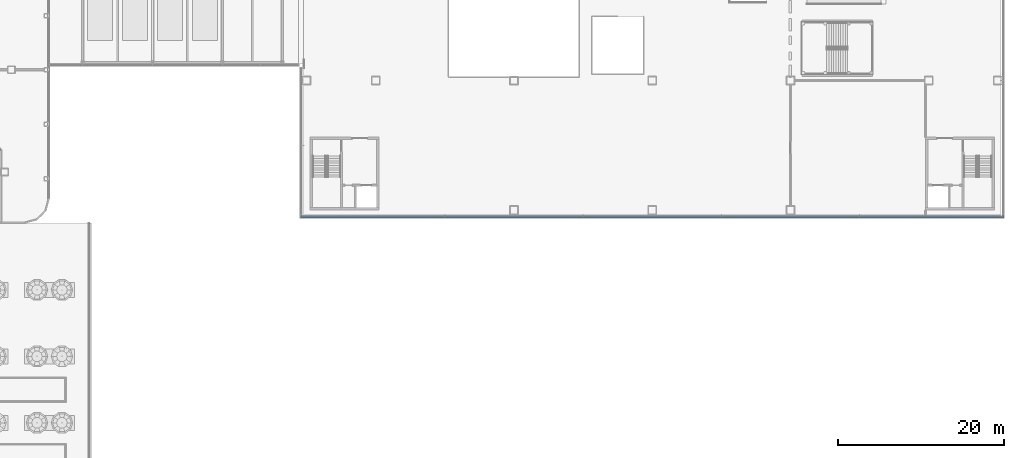
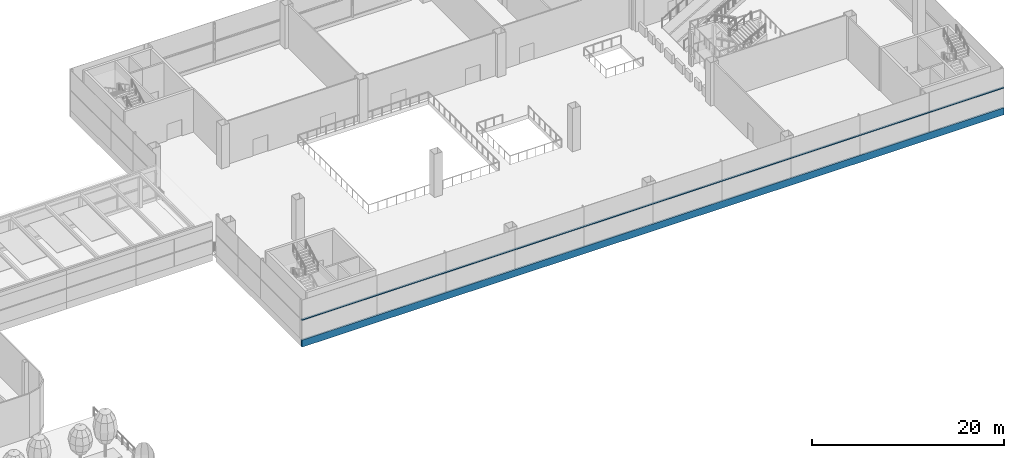
# One storey, part 20 of 100: 2 members, 1 element without a shape of its own.
"""IFC4 building model written with IfcOpenShell, lengths in metres."""

from ifc_helpers import new_model, si_unit, direction, frame, origin, origin_2d, place, context, subcontext, project, spatial, rectangle, extrude, material, layer, layer_set, material_profile, profile_set, type_object, element, aggregate, save


model = new_model("IFC4")

# Units and contexts
model_context = context("Model", 3, precision=1e-05, world=origin(), true_north=direction((0.0, 1.0)))
body_context = subcontext(model_context, "Body", "Model", "MODEL_VIEW")
ifc_project = project(units=[si_unit("LENGTHUNIT", "METRE"), si_unit("AREAUNIT", "SQUARE_METRE"), si_unit("VOLUMEUNIT", "CUBIC_METRE"), si_unit("PLANEANGLEUNIT", "RADIAN"), si_unit("MASSUNIT", "GRAM", prefix="KILO")], contexts=[model_context])

# Site, building, storey
site_placement = place(None, origin())
site = spatial("IfcSite", under=ifc_project, at=site_placement, CompositionType="ELEMENT")
building_placement = place(site_placement, origin())
building = spatial("IfcBuilding", under=site, at=building_placement, Name="Hakoniwa Tower and Hamabe Station Hall", CompositionType="ELEMENT")
storey_placement = place(building_placement, frame((0.0, 0.0, 9.0)))
storey = spatial("IfcBuildingStorey", under=building, at=storey_placement, Name="L02", CompositionType="ELEMENT", Elevation=9.0)

# Curtain wall, members
ifc_material_1 = material(Name="Dark low-e laminated glass", Category="glass")
ifc_layer = layer(ifc_material_1, 0.199951171875)
ifc_layer_set = layer_set([ifc_layer], Name="CW-7 STATION")
curtain_wall_type = type_object("IfcCurtainWallType", Name="CW-7 STATION", PredefinedType="NOTDEFINED", material=ifc_layer_set)
curtain_wall_placement = place(storey_placement, origin())
curtain_wall = element("IfcCurtainWall", 1, at=curtain_wall_placement, inside=storey, type_object=curtain_wall_type, Name="Station curtain wall L02 south", PredefinedType="NOTDEFINED")
ifc_material_2 = material(Name="Aluminium 6063-T5 black anodised", Category="aluminium")
ifc_material_profile_1 = material_profile(ifc_material_2, rectangle(XDim=0.199951171875, YDim=0.1201171875, at=origin_2d()), Name="CW MID TRANSOM 120X200")
ifc_profile_set_1 = profile_set([ifc_material_profile_1], Name="Aluminium 6063-T5 black anodised")
member_type_1 = type_object("IfcMemberType", Name="CW MID TRANSOM 120X200", PredefinedType="USERDEFINED", material=ifc_profile_set_1)
member_1_placement = place(storey_placement, frame((85.25, -24.199951171875, 2.89990234375), z_axis=(1.0, 0.0, 0.0), x_axis=(0.0, 1.0, 0.0)))
member_1 = element("IfcMember", 2, at=member_1_placement, type_object=member_type_1, Name="CW-7 transom", ObjectType="TRANSOM", PredefinedType="USERDEFINED", context=body_context, shape_type="SweptSolid", body=[
    extrude(rectangle(XDim=0.199951171875, YDim=0.1201171875, at=origin_2d()), origin(), (0.0, 0.0, 1.0), 84.60009765625),
])
ifc_material_3 = material(Name="Aluminium 6063-T5 black anodised", Category="aluminium")
ifc_material_profile_2 = material_profile(ifc_material_3, rectangle(XDim=0.199951171875, YDim=0.89990234375, at=origin_2d()), Name="CW SLAB-EDGE BAND 900X200")
ifc_profile_set_2 = profile_set([ifc_material_profile_2], Name="Aluminium 6063-T5 black anodised")
member_type_2 = type_object("IfcMemberType", Name="CW SLAB-EDGE BAND 900X200", PredefinedType="USERDEFINED", material=ifc_profile_set_2)
member_2_placement = place(storey_placement, frame((85.25, -24.199951171875, -0.10009765625), z_axis=(1.0, 0.0, 0.0), x_axis=(0.0, 1.0, 0.0)))
member_2 = element("IfcMember", 3, at=member_2_placement, type_object=member_type_2, Name="CW-7 transom", ObjectType="TRANSOM", PredefinedType="USERDEFINED", context=body_context, shape_type="SweptSolid", body=[
    extrude(rectangle(XDim=0.199951171875, YDim=0.89990234375, at=origin_2d()), origin(), (0.0, 0.0, 1.0), 84.60009765625),
])
aggregate(curtain_wall, [member_2, member_1])

save(model, "model.ifc")
